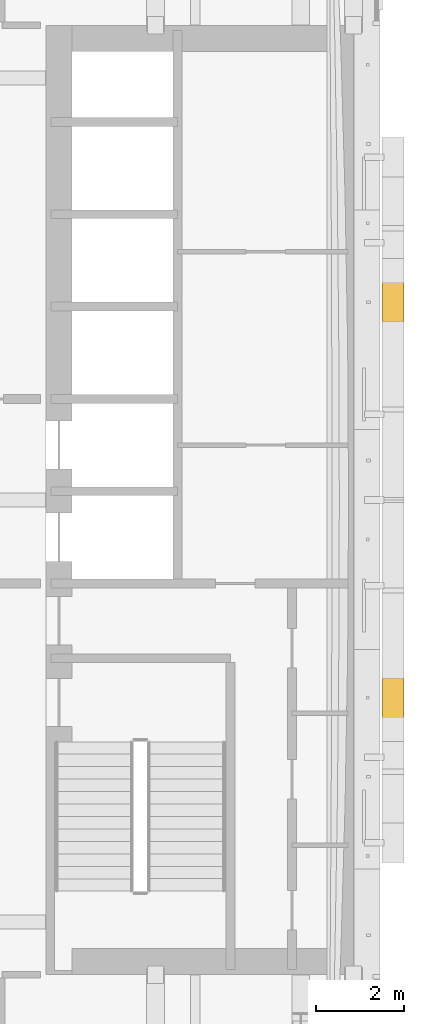
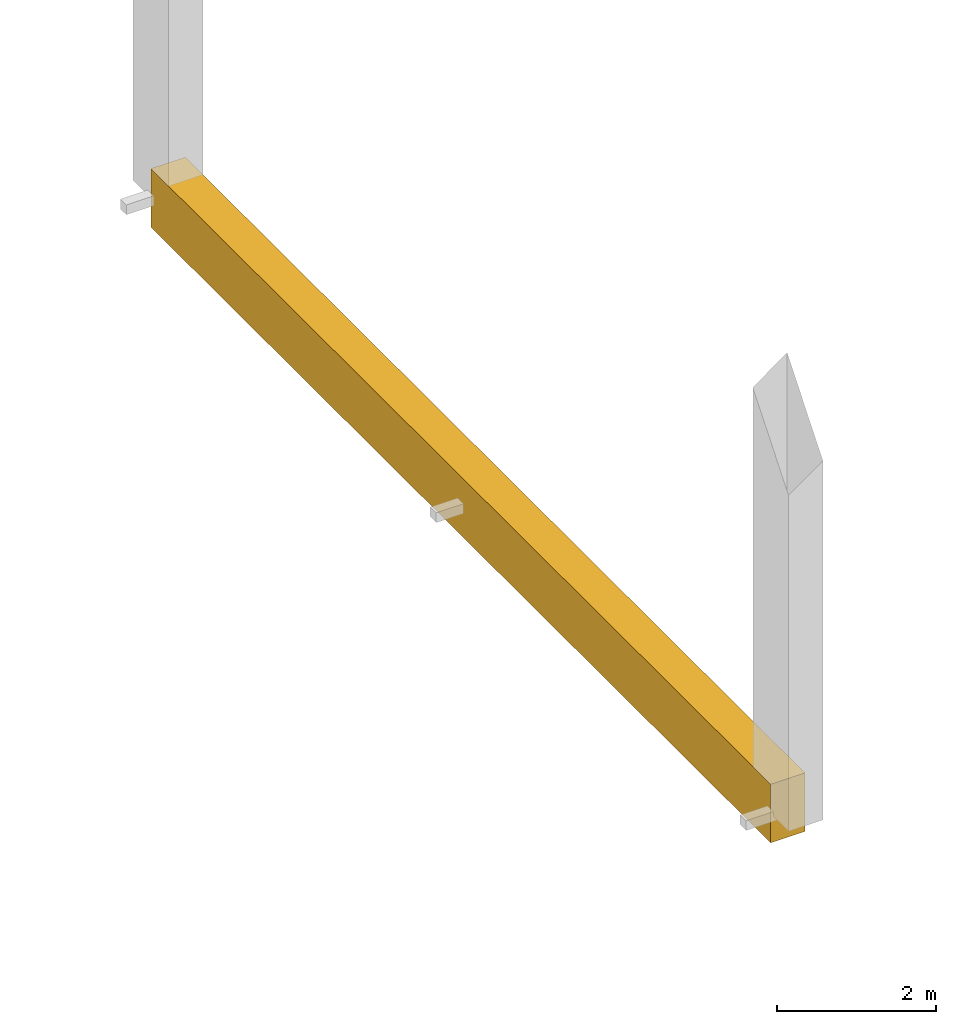
# One storey, part 32 of 38: 1 covering.
"""IFC4 building model written with IfcOpenShell, lengths in metres."""

from ifc_helpers import new_model, si_unit, direction, frame, origin, origin_2d, place, context, subcontext, project, spatial, rectangle, extrude, material, material_profile, profile_set, type_object, element, save


model = new_model("IFC4")

# Units and contexts
model_context = context("Model", 3, precision=1e-05, world=origin(), true_north=direction((0.0, 1.0)))
body_context = subcontext(model_context, "Body", "Model", "MODEL_VIEW")
ifc_project = project(units=[si_unit("LENGTHUNIT", "METRE"), si_unit("AREAUNIT", "SQUARE_METRE"), si_unit("VOLUMEUNIT", "CUBIC_METRE"), si_unit("PLANEANGLEUNIT", "RADIAN"), si_unit("MASSUNIT", "GRAM", prefix="KILO")], contexts=[model_context])

# Site, building, storey
site_placement = place(None, origin())
site = spatial("IfcSite", under=ifc_project, at=site_placement, CompositionType="ELEMENT")
building_placement = place(site_placement, origin())
building = spatial("IfcBuilding", under=site, at=building_placement, Name="Cobrizo Arcos Hotel Tower", CompositionType="ELEMENT")
storey_placement = place(building_placement, frame((0.0, 0.0, 138.0)))
storey = spatial("IfcBuildingStorey", under=building, at=storey_placement, Name="L35", CompositionType="ELEMENT", Elevation=138.0)

# Covering
ifc_material = material(Name="Aluminium 6063-T6 anodised pale", Category="aluminium")
ifc_material_profile = material_profile(ifc_material, rectangle(XDim=0.5, YDim=0.89990234375, at=origin_2d()), Name="AF-2 core arch rim 500x900")
ifc_profile_set = profile_set([ifc_material_profile], Name="Aluminium 6063-T6 anodised pale")
covering_type = type_object("IfcCoveringType", Name="AF-2 core arch rim 500x900", PredefinedType="CLADDING", material=ifc_profile_set)
covering_placement = place(storey_placement, frame((23.699951171875, -7.800048828125, -20.550048828125), z_axis=(0.0, 1.0, 0.0), x_axis=(-1.0, 0.0, 0.0)))
element("IfcCovering", 1, at=covering_placement, inside=storey, type_object=covering_type, Name="Arch rim B E face", PredefinedType="CLADDING", context=body_context, shape_type="SweptSolid", body=[
    extrude(rectangle(XDim=0.5, YDim=0.89990234375, at=origin_2d()), origin(), (0.0, 0.0, 1.0), 15.60009765625),
])

save(model, "model.ifc")
